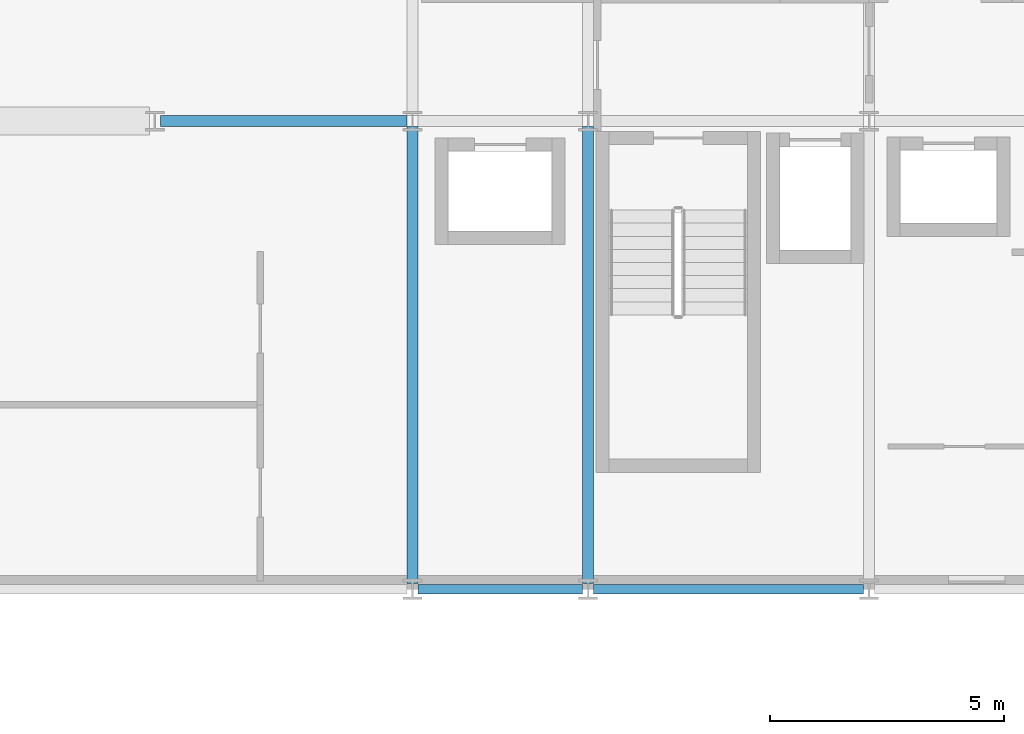
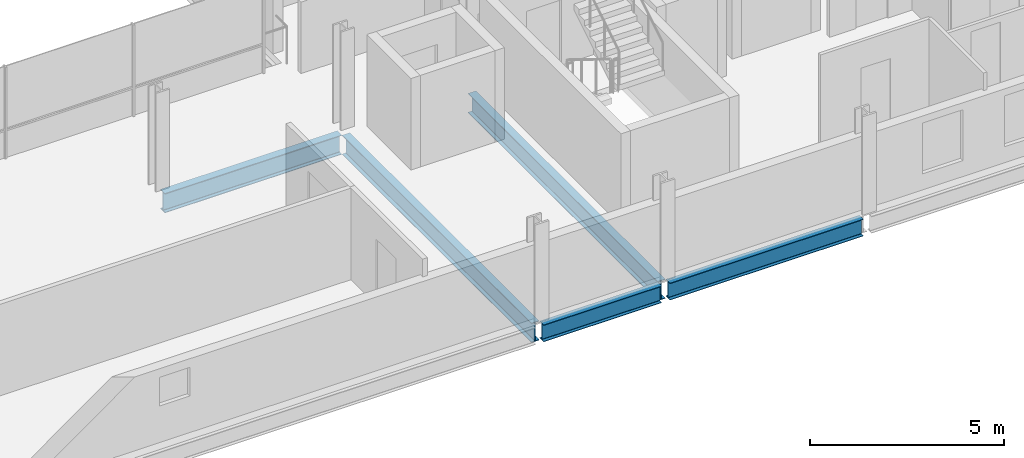
# One storey, part 12 of 40: 5 beams.
"""IFC4 building model written with IfcOpenShell, lengths in metres."""

from ifc_helpers import new_model, si_unit, direction, frame, origin, origin_2d, place, context, subcontext, project, spatial, i_section, extrude, material, material_profile, profile_set, type_object, element, save


model = new_model("IFC4")

# Units and contexts
model_context = context("Model", 3, precision=1e-05, world=origin(), true_north=direction((0.0, 1.0)))
body_context = subcontext(model_context, "Body", "Model", "MODEL_VIEW")
ifc_project = project(units=[si_unit("LENGTHUNIT", "METRE"), si_unit("AREAUNIT", "SQUARE_METRE"), si_unit("VOLUMEUNIT", "CUBIC_METRE"), si_unit("PLANEANGLEUNIT", "RADIAN"), si_unit("MASSUNIT", "GRAM", prefix="KILO")], contexts=[model_context])

# Site, building, storey
site_placement = place(None, origin())
site = spatial("IfcSite", under=ifc_project, at=site_placement, CompositionType="ELEMENT")
building_placement = place(site_placement, origin())
building = spatial("IfcBuilding", under=site, at=building_placement, Name="Brevholm Reach", CompositionType="ELEMENT")
storey_placement = place(building_placement, frame((0.0, 0.0, 125.199951171875)))
storey = spatial("IfcBuildingStorey", under=building, at=storey_placement, Name="L37", CompositionType="ELEMENT", Elevation=125.199951171875)

# Beams
ifc_material_1 = material(Name="Structural Steel S355J2", Category="steel")
ifc_material_profile_1 = material_profile(ifc_material_1, i_section(OverallWidth=0.209228515625, OverallDepth=0.533203125, WebThickness=0.010009765625, FlangeThickness=0.015625, FilletRadius=0.0126953125, at=origin_2d()), Name="UKB 533x210x92")
ifc_profile_set_1 = profile_set([ifc_material_profile_1], Name="Structural Steel S355J2")
beam_type_1 = type_object("IfcBeamType", Name="BM-SP533", PredefinedType="SPANDREL", material=ifc_profile_set_1)
beam_1_placement = place(storey_placement, frame((38.3701171875, 0.0, -0.486572265625), z_axis=(1.0, 0.0, 0.0), x_axis=(0.0, 1.0, 0.0)))
element("IfcBeam", 1, at=beam_1_placement, inside=storey, type_object=beam_type_1, Name="L37 SP-02 Framing Beam", PredefinedType="SPANDREL", context=body_context, shape_type="SweptSolid", body=[
    extrude(i_section(OverallWidth=0.209228515625, OverallDepth=0.533203125, WebThickness=0.010009765625, FlangeThickness=0.015625, FilletRadius=0.0126953125, at=origin_2d()), origin(), (0.0, 0.0, 1.0), 3.509765625),
])
beam_2_placement = place(storey_placement, frame((42.1201171875, 0.0, -0.486572265625), z_axis=(1.0, 0.0, 0.0), x_axis=(0.0, 1.0, 0.0)))
element("IfcBeam", 2, at=beam_2_placement, inside=storey, type_object=beam_type_1, Name="L37 SP-02 Framing Beam", PredefinedType="SPANDREL", context=body_context, shape_type="SweptSolid", body=[
    extrude(i_section(OverallWidth=0.209228515625, OverallDepth=0.533203125, WebThickness=0.010009765625, FlangeThickness=0.015625, FilletRadius=0.0126953125, at=origin_2d()), origin(), (0.0, 0.0, 1.0), 5.759765625),
])
ifc_material_2 = material(Name="Structural Steel S355J2", Category="steel")
ifc_material_profile_2 = material_profile(ifc_material_2, i_section(OverallWidth=0.22900390625, OverallDepth=0.6123046875, WebThickness=0.011962890625, FlangeThickness=0.01953125, FilletRadius=0.0126953125, at=origin_2d()), Name="UKB 610x229x125")
ifc_profile_set_2 = profile_set([ifc_material_profile_2], Name="Structural Steel S355J2")
beam_type_2 = type_object("IfcBeamType", Name="BM-SP610", PredefinedType="SPANDREL", material=ifc_profile_set_2)
beam_3_placement = place(storey_placement, frame((32.8701171875, 10.0, -0.526123046875), z_axis=(1.0, 0.0, 0.0), x_axis=(0.0, 1.0, 0.0)))
element("IfcBeam", 3, at=beam_3_placement, inside=storey, type_object=beam_type_2, Name="L37 SP-01 Framing Beam", PredefinedType="SPANDREL", context=body_context, shape_type="SweptSolid", body=[
    extrude(i_section(OverallWidth=0.22900390625, OverallDepth=0.6123046875, WebThickness=0.011962890625, FlangeThickness=0.01953125, FilletRadius=0.0126953125, at=origin_2d()), origin(), (0.0, 0.0, 1.0), 5.259765625),
])
for number, where, z_axis, x_axis, name in (
    (4, (38.25, 0.1201171875, -0.526123046875), (0.0, 1.0, 0.0), (-1.0, 0.0, 0.0), "L37 SP-01 Framing Beam"),
    (5, (42.0, 0.1201171875, -0.526123046875), (0.0, 1.0, 0.0), (-1.0, 0.0, 0.0), "L37 SP-01 Framing Beam"),
):
    element("IfcBeam", number, at=place(storey_placement, frame(where, z_axis=z_axis, x_axis=x_axis)), inside=storey, type_object=beam_type_2, Name=name, PredefinedType="SPANDREL", context=body_context, shape_type="SweptSolid", body=[
        extrude(i_section(OverallWidth=0.22900390625, OverallDepth=0.6123046875, WebThickness=0.011962890625, FlangeThickness=0.01953125, FilletRadius=0.0126953125, at=origin_2d()), origin(), (0.0, 0.0, 1.0), 9.759765625),
    ])

save(model, "model.ifc")
